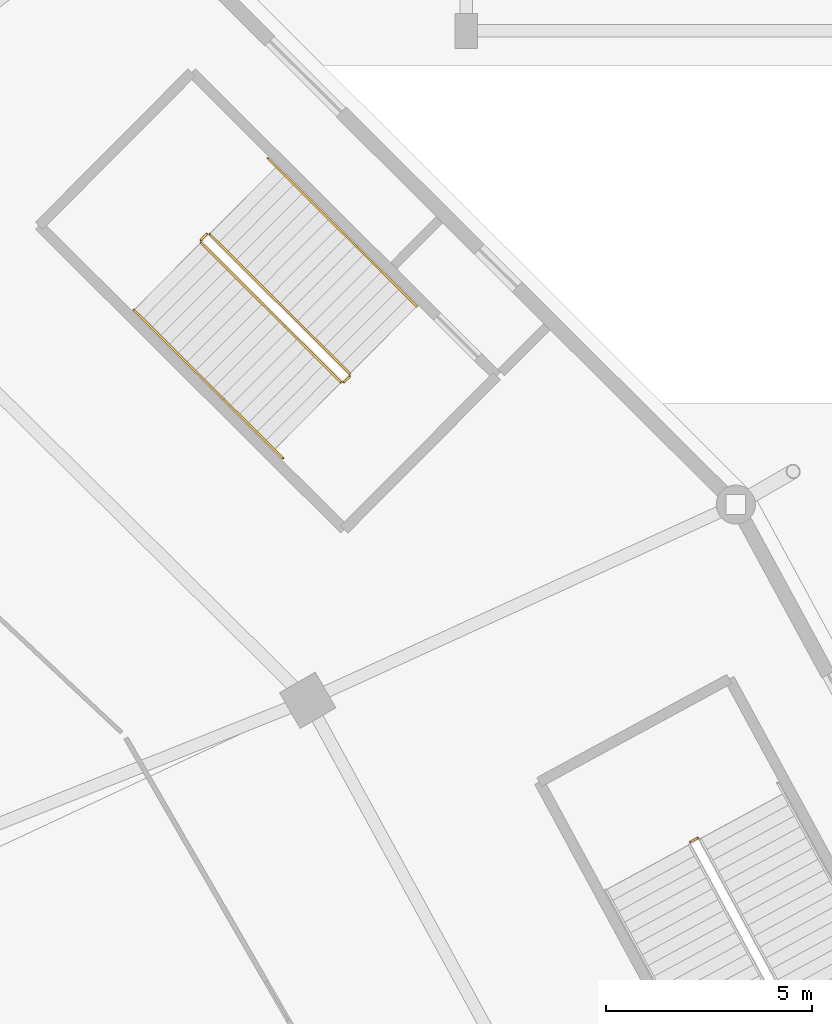
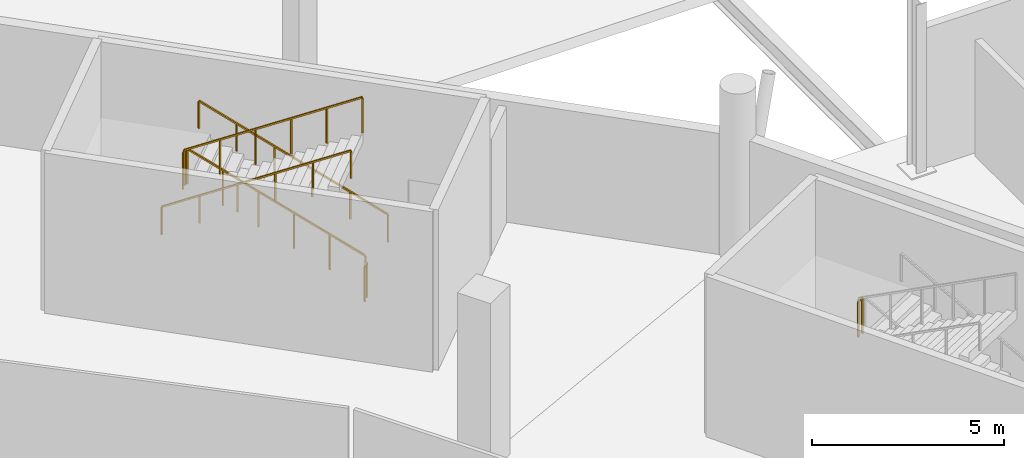
# One storey, part 75 of 82: 7 railings.
"""IFC4 building model written with IfcOpenShell, lengths in metres."""

from ifc_helpers import new_model, si_unit, direction, frame, origin, origin_2d, place, context, subcontext, project, spatial, rectangle, extrude, material, type_object, element, save


model = new_model("IFC4")

# Units and contexts
model_context = context("Model", 3, precision=1e-05, world=origin(), true_north=direction((0.0, 1.0)))
body_context = subcontext(model_context, "Body", "Model", "MODEL_VIEW")
ifc_project = project(units=[si_unit("LENGTHUNIT", "METRE"), si_unit("AREAUNIT", "SQUARE_METRE"), si_unit("VOLUMEUNIT", "CUBIC_METRE"), si_unit("PLANEANGLEUNIT", "RADIAN"), si_unit("MASSUNIT", "GRAM", prefix="KILO")], contexts=[model_context])

# Site, building, storey
site_placement = place(None, origin())
site = spatial("IfcSite", under=ifc_project, at=site_placement, CompositionType="ELEMENT")
building_placement = place(site_placement, origin())
building = spatial("IfcBuilding", under=site, at=building_placement, Name="Zlatoyarsky Gate Stadium", CompositionType="ELEMENT")
storey_placement = place(building_placement, origin())
storey = spatial("IfcBuildingStorey", under=building, at=storey_placement, Name="L00", CompositionType="ELEMENT", Elevation=0.0)

# Railings
ifc_material_1 = material(Name="Powder-coated steel stair guardrail", Category="steel")
railing_type_1 = type_object("IfcRailingType", Name="PAINTED STEEL STAIR WELL GUARDRAIL 1150", PredefinedType="GUARDRAIL", material=ifc_material_1)
railing_1_placement = place(storey_placement, frame((182.170654296875, 118.681396484375, 0.158935546875)))
element("IfcRailing", 1, at=railing_1_placement, inside=storey, type_object=railing_type_1, Name="ST-02 L00 stair guard 1", PredefinedType="GUARDRAIL", context=body_context, shape_type="SweptSolid", body=[
    extrude(rectangle(XDim=0.048095703125, YDim=0.048095703125, at=origin_2d()), frame((0.0, 0.0, 1.1259765625), z_axis=(-0.626510091978, 0.62336338132, 0.467870921813), x_axis=(-0.705324317314, -0.708884763136, 0.0)), (0.0, 0.0, 1.0), 5.430908203125),
    extrude(rectangle(XDim=0.0419921875, YDim=0.0419921875, at=origin_2d()), origin(), (0.0, 0.0, 1.0), 1.101806640625),
    extrude(rectangle(XDim=0.0419921875, YDim=0.0419921875, at=origin_2d()), frame((-0.680419921875, 0.677001953125, 0.50830078125)), (0.0, 0.0, 1.0), 1.101806640625),
    extrude(rectangle(XDim=0.0419921875, YDim=0.0419921875, at=origin_2d()), frame((-1.361083984375, 1.354248046875, 1.016357421875)), (0.0, 0.0, 1.0), 1.101806640625),
    extrude(rectangle(XDim=0.0419921875, YDim=0.0419921875, at=origin_2d()), frame((-2.04150390625, 2.03125, 1.524658203125)), (0.0, 0.0, 1.0), 1.101806640625),
    extrude(rectangle(XDim=0.0419921875, YDim=0.0419921875, at=origin_2d()), frame((-2.72216796875, 2.70849609375, 2.03271484375)), (0.0, 0.0, 1.0), 1.101806640625),
    extrude(rectangle(XDim=0.0419921875, YDim=0.0419921875, at=origin_2d()), frame((-3.402587890625, 3.385498046875, 2.541015625)), (0.0, 0.0, 1.0), 1.101806640625),
])
railing_2_placement = place(storey_placement, frame((178.697265625, 122.066650390625, 2.699951171875)))
element("IfcRailing", 2, at=railing_2_placement, inside=storey, type_object=railing_type_1, Name="ST-02 L00 stair guard 2", PredefinedType="GUARDRAIL", context=body_context, shape_type="SweptSolid", body=[
    extrude(rectangle(XDim=0.048095703125, YDim=0.048095703125, at=origin_2d()), frame((0.0, 0.0, 1.1259765625), z_axis=(-0.705274116237, -0.708934708536, 0.0), x_axis=(0.708934708536, -0.705274116237, 0.0)), (0.0, 0.0, 1.0), 0.2001953125),
    extrude(rectangle(XDim=0.0419921875, YDim=0.0419921875, at=origin_2d()), origin(), (0.0, 0.0, 1.0), 1.101806640625),
    extrude(rectangle(XDim=0.0419921875, YDim=0.0419921875, at=origin_2d()), frame((-0.14111328125, -0.141845703125, 0.0)), (0.0, 0.0, 1.0), 1.101806640625),
])
railing_3_placement = place(storey_placement, frame((178.556396484375, 121.854248046875, 2.85888671875)))
element("IfcRailing", 3, at=railing_3_placement, inside=storey, type_object=railing_type_1, Name="ST-02 L00 stair guard 3", PredefinedType="GUARDRAIL", context=body_context, shape_type="SweptSolid", body=[
    extrude(rectangle(XDim=0.048095703125, YDim=0.048095703125, at=origin_2d()), frame((0.0, 0.0, 1.1259765625), z_axis=(0.626537399108, -0.623345825329, 0.467857745008), x_axis=(0.705298886343, 0.708910065469, 0.0)), (0.0, 0.0, 1.0), 5.43115234375),
    extrude(rectangle(XDim=0.0419921875, YDim=0.0419921875, at=origin_2d()), origin(), (0.0, 0.0, 1.0), 1.101806640625),
    extrude(rectangle(XDim=0.0419921875, YDim=0.0419921875, at=origin_2d()), frame((0.6806640625, -0.677001953125, 0.50830078125)), (0.0, 0.0, 1.0), 1.101806640625),
    extrude(rectangle(XDim=0.0419921875, YDim=0.0419921875, at=origin_2d()), frame((1.361083984375, -1.354248046875, 1.016357421875)), (0.0, 0.0, 1.0), 1.101806640625),
    extrude(rectangle(XDim=0.0419921875, YDim=0.0419921875, at=origin_2d()), frame((2.041748046875, -2.03125, 1.524658203125)), (0.0, 0.0, 1.0), 1.101806640625),
    extrude(rectangle(XDim=0.0419921875, YDim=0.0419921875, at=origin_2d()), frame((2.72216796875, -2.70849609375, 2.03271484375)), (0.0, 0.0, 1.0), 1.101806640625),
    extrude(rectangle(XDim=0.0419921875, YDim=0.0419921875, at=origin_2d()), frame((3.40283203125, -3.385498046875, 2.541015625)), (0.0, 0.0, 1.0), 1.101806640625),
])
railing_4_placement = place(storey_placement, frame((182.1708984375, 118.610595703125, 0.0)))
element("IfcRailing", 4, at=railing_4_placement, inside=storey, type_object=railing_type_1, Name="ST-02 L00 stair guard 4", PredefinedType="GUARDRAIL", context=body_context, shape_type="SweptSolid", body=[
    extrude(rectangle(XDim=0.048095703125, YDim=0.048095703125, at=origin_2d()), frame((0.0, 0.0, 1.1259765625), z_axis=(-0.705884473151, -0.708326979978, 0.0), x_axis=(0.708326979978, -0.705884473151, 0.0)), (0.0, 0.0, 1.0), 0.199951171875),
    extrude(rectangle(XDim=0.0419921875, YDim=0.0419921875, at=origin_2d()), origin(), (0.0, 0.0, 1.0), 1.101806640625),
    extrude(rectangle(XDim=0.0419921875, YDim=0.0419921875, at=origin_2d()), frame((-0.14111328125, -0.1416015625, 0.0)), (0.0, 0.0, 1.0), 1.101806640625),
])
railing_5_placement = place(storey_placement, frame((190.60791015625, 107.40576171875, 2.699951171875)))
element("IfcRailing", 5, at=railing_5_placement, inside=storey, type_object=railing_type_1, Name="ST-13 L00 stair guard 2", PredefinedType="GUARDRAIL", context=body_context, shape_type="SweptSolid", body=[
    extrude(rectangle(XDim=0.048095703125, YDim=0.048095703125, at=origin_2d()), frame((0.0, 0.0, 1.1259765625), z_axis=(-0.878780312785, -0.477226530971, 0.0), x_axis=(0.477226530971, -0.878780312785, 0.0)), (0.0, 0.0, 1.0), 0.199951171875),
    extrude(rectangle(XDim=0.0419921875, YDim=0.0419921875, at=origin_2d()), origin(), (0.0, 0.0, 1.0), 1.101806640625),
    extrude(rectangle(XDim=0.0419921875, YDim=0.0419921875, at=origin_2d()), frame((-0.17578125, -0.095458984375, 0.0)), (0.0, 0.0, 1.0), 1.101806640625),
])
ifc_material_2 = material(Name="Brushed stainless steel 316 handrail", Category="steel")
railing_type_2 = type_object("IfcRailingType", Name="STAINLESS STEEL TUBULAR HANDRAIL 900", PredefinedType="HANDRAIL", material=ifc_material_2)
railing_6_placement = place(storey_placement, frame((183.79296875, 120.311767578125, 0.162841796875)))
element("IfcRailing", 6, at=railing_6_placement, inside=storey, type_object=railing_type_2, Name="ST-02 L00 stair handrail 1", PredefinedType="HANDRAIL", context=body_context, shape_type="SweptSolid", body=[
    extrude(rectangle(XDim=0.048095703125, YDim=0.048095703125, at=origin_2d()), frame((0.0, 0.0, 0.8759765625), z_axis=(-0.626522822418, 0.62334980522, 0.467871962531), x_axis=(-0.705309395881, -0.708899609312, 0.0)), (0.0, 0.0, 1.0), 5.770751953125),
    extrude(rectangle(XDim=0.0419921875, YDim=0.0419921875, at=origin_2d()), origin(), (0.0, 0.0, 1.0), 0.851806640625),
    extrude(rectangle(XDim=0.0419921875, YDim=0.0419921875, at=origin_2d()), frame((-0.72314453125, 0.719482421875, 0.5400390625)), (0.0, 0.0, 1.0), 0.851806640625),
    extrude(rectangle(XDim=0.0419921875, YDim=0.0419921875, at=origin_2d()), frame((-1.4462890625, 1.43896484375, 1.080078125)), (0.0, 0.0, 1.0), 0.851806640625),
    extrude(rectangle(XDim=0.0419921875, YDim=0.0419921875, at=origin_2d()), frame((-2.169189453125, 2.158203125, 1.619873046875)), (0.0, 0.0, 1.0), 0.851806640625),
    extrude(rectangle(XDim=0.0419921875, YDim=0.0419921875, at=origin_2d()), frame((-2.892333984375, 2.877685546875, 2.159912109375)), (0.0, 0.0, 1.0), 0.851806640625),
    extrude(rectangle(XDim=0.0419921875, YDim=0.0419921875, at=origin_2d()), frame((-3.615478515625, 3.59716796875, 2.699951171875)), (0.0, 0.0, 1.0), 0.851806640625),
])
railing_7_placement = place(storey_placement, frame((176.93408203125, 120.2236328125, 2.86279296875)))
element("IfcRailing", 7, at=railing_7_placement, inside=storey, type_object=railing_type_2, Name="ST-02 L00 stair handrail 2", PredefinedType="HANDRAIL", context=body_context, shape_type="SweptSolid", body=[
    extrude(rectangle(XDim=0.048095703125, YDim=0.048095703125, at=origin_2d()), frame((0.0, 0.0, 0.8759765625), z_axis=(0.626539345167, -0.623323936279, 0.467884301317), x_axis=(0.705285338382, 0.708923544159, 0.0)), (0.0, 0.0, 1.0), 5.7705078125),
    extrude(rectangle(XDim=0.0419921875, YDim=0.0419921875, at=origin_2d()), origin(), (0.0, 0.0, 1.0), 0.851806640625),
    extrude(rectangle(XDim=0.0419921875, YDim=0.0419921875, at=origin_2d()), frame((0.72314453125, -0.719482421875, 0.5400390625)), (0.0, 0.0, 1.0), 0.851806640625),
    extrude(rectangle(XDim=0.0419921875, YDim=0.0419921875, at=origin_2d()), frame((1.4462890625, -1.438720703125, 1.080078125)), (0.0, 0.0, 1.0), 0.851806640625),
    extrude(rectangle(XDim=0.0419921875, YDim=0.0419921875, at=origin_2d()), frame((2.169189453125, -2.158203125, 1.619873046875)), (0.0, 0.0, 1.0), 0.851806640625),
    extrude(rectangle(XDim=0.0419921875, YDim=0.0419921875, at=origin_2d()), frame((2.892333984375, -2.87744140625, 2.159912109375)), (0.0, 0.0, 1.0), 0.851806640625),
    extrude(rectangle(XDim=0.0419921875, YDim=0.0419921875, at=origin_2d()), frame((3.615478515625, -3.596923828125, 2.699951171875)), (0.0, 0.0, 1.0), 0.851806640625),
])

save(model, "model.ifc")
